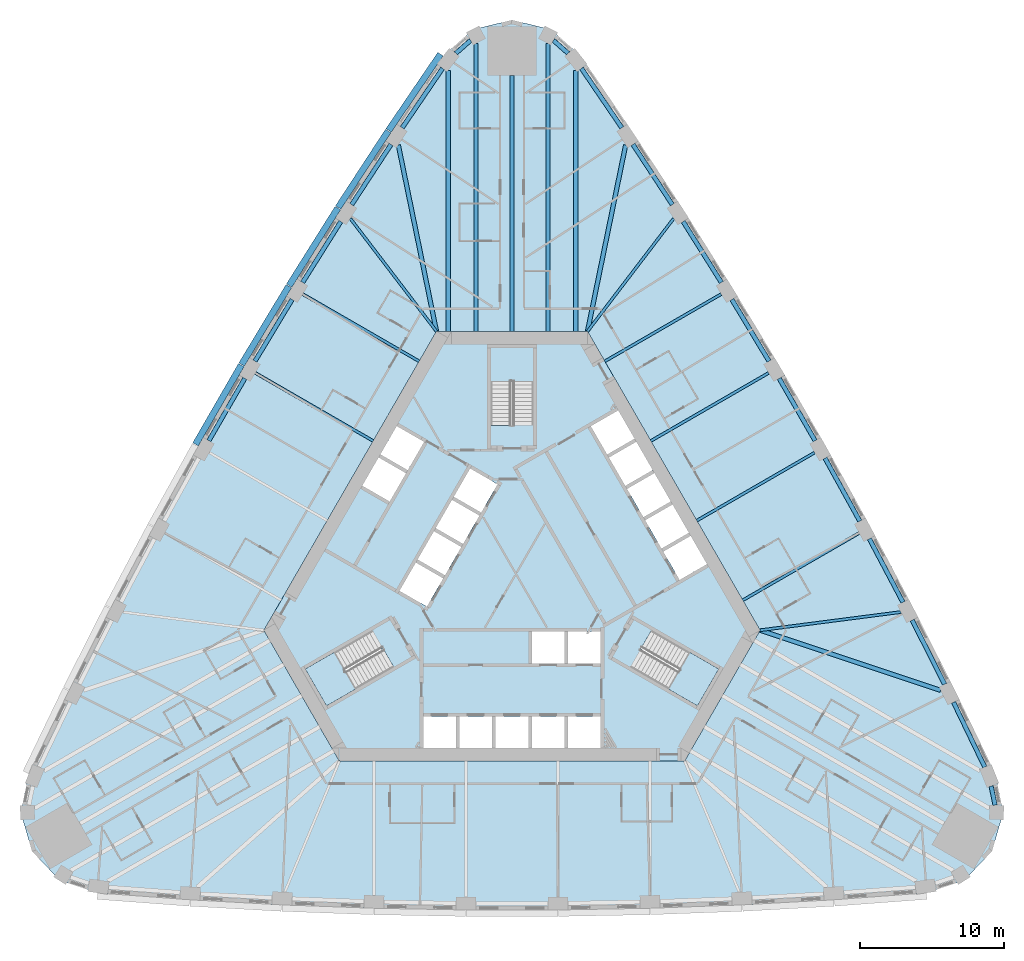
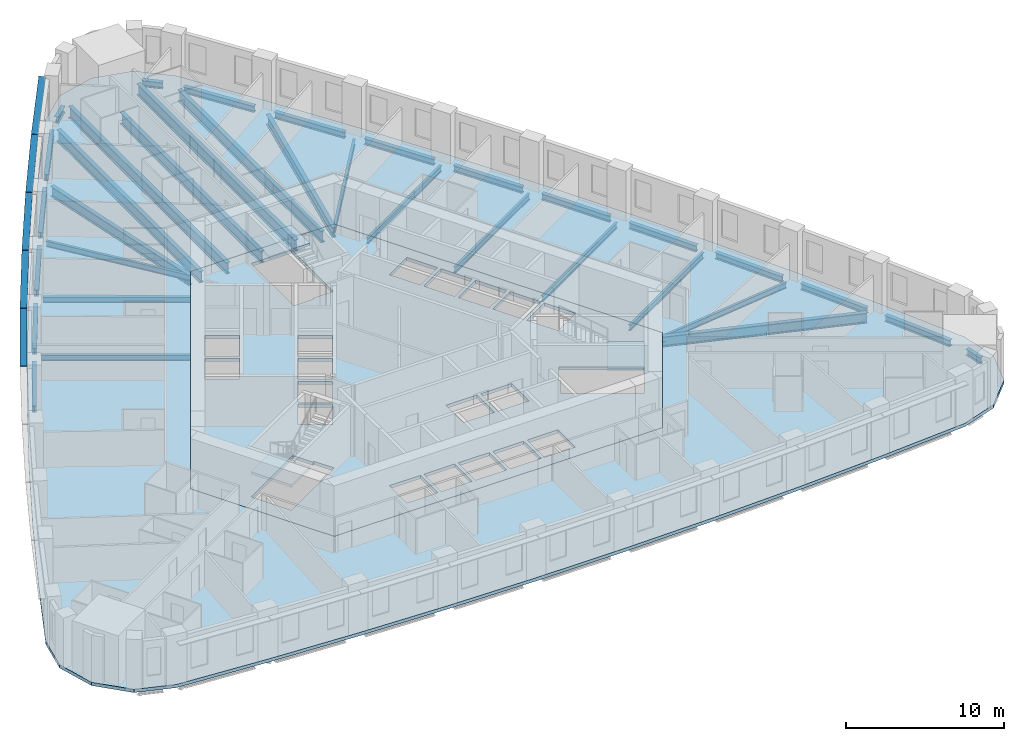
# One storey, part 2 of 13: 34 beams, 5 members, 5 slabs, 3 elements without a shape of their own.
"""IFC4 building model written with IfcOpenShell, lengths in metres."""

from ifc_helpers import new_model, si_unit, direction, frame, origin, origin_2d, place, context, subcontext, project, spatial, polyline, rectangle, i_section, outline, extrude, material, layer, layer_set, material_profile, profile_set, type_object, element, aggregate, save


model = new_model("IFC4")

# Units and contexts
model_context = context("Model", 3, precision=1e-05, world=origin(), true_north=direction((0.0, 1.0)))
body_context = subcontext(model_context, "Body", "Model", "MODEL_VIEW")
ifc_project = project(units=[si_unit("LENGTHUNIT", "METRE"), si_unit("AREAUNIT", "SQUARE_METRE"), si_unit("VOLUMEUNIT", "CUBIC_METRE"), si_unit("PLANEANGLEUNIT", "RADIAN"), si_unit("MASSUNIT", "GRAM", prefix="KILO")], contexts=[model_context])

# Site, building, storey
site_placement = place(None, origin())
site = spatial("IfcSite", under=ifc_project, at=site_placement, CompositionType="ELEMENT")
building_placement = place(site_placement, origin())
building = spatial("IfcBuilding", under=site, at=building_placement, Name="Mestral Congress Tower", CompositionType="ELEMENT")
storey_placement = place(building_placement, frame((0.0, 0.0, 51.0)))
storey = spatial("IfcBuildingStorey", under=building, at=storey_placement, Name="L11", CompositionType="ELEMENT", Elevation=51.0)

# Members
ifc_material_1 = material(Name="Glazed ceramic", Category="masonry")
ifc_material_profile_1 = material_profile(ifc_material_1, rectangle(XDim=0.449951171875, YDim=0.06005859375, at=origin_2d()), Name="Ceramic blade 450 x 60")
ifc_profile_set_1 = profile_set([ifc_material_profile_1], Name="Glazed ceramic")
member_type = type_object("IfcMemberType", Name="Facade sunshade blade 450 x 60", PredefinedType="USERDEFINED", material=ifc_profile_set_1)
member_1_placement = place(storey_placement, frame((-4.973388671875, 36.188232421875, 3.280029296875), z_axis=(-0.562633427576, -0.826706493367, 0.0), x_axis=(0.826706493367, -0.562633427576, 0.0)))
element("IfcMember", 1, at=member_1_placement, inside=storey, type_object=member_type, Name="Sunshade F2-00", ObjectType="SUNSHADE", PredefinedType="USERDEFINED", context=body_context, shape_type="SweptSolid", body=[
    extrude(rectangle(XDim=0.449951171875, YDim=0.06005859375, at=origin_2d()), origin(), (0.0, 0.0, 1.0), 6.4208984375),
])
member_2_placement = place(storey_placement, frame((-8.6103515625, 30.843505859375, 3.280029296875), z_axis=(-0.547211145376, -0.836994601163, 0.0), x_axis=(0.836994601163, -0.547211145376, 0.0)))
element("IfcMember", 2, at=member_2_placement, inside=storey, type_object=member_type, Name="Sunshade F2-01", ObjectType="SUNSHADE", PredefinedType="USERDEFINED", context=body_context, shape_type="SweptSolid", body=[
    extrude(rectangle(XDim=0.449951171875, YDim=0.06005859375, at=origin_2d()), origin(), (0.0, 0.0, 1.0), 6.368408203125),
])
for number, where, z_axis, x_axis, name in (
    (3, (-12.119140625, 25.47607421875, 3.280029296875), (-0.531665815747, -0.846954225662, 0.0), (0.846954225662, -0.531665815747, 0.0), "Sunshade F2-02"),
    (4, (-15.528076171875, 20.044921875, 3.280029296875), (-0.515904518528, -0.856646092481, 0.0), (0.856646092481, -0.515904518528, 0.0), "Sunshade F2-03"),
):
    element("IfcMember", number, at=place(storey_placement, frame(where, z_axis=z_axis, x_axis=x_axis)), inside=storey, type_object=member_type, Name=name, ObjectType="SUNSHADE", PredefinedType="USERDEFINED", context=body_context, shape_type="SweptSolid", body=[
        extrude(rectangle(XDim=0.449951171875, YDim=0.06005859375, at=origin_2d()), origin(), (0.0, 0.0, 1.0), 6.3681640625),
    ])
member_3_placement = place(storey_placement, frame((-18.8359375, 14.5517578125, 3.280029296875), z_axis=(-0.499990149842, -0.866031090701, 0.0), x_axis=(0.866031090701, -0.499990149842, 0.0)))
element("IfcMember", 5, at=member_3_placement, inside=storey, type_object=member_type, Name="Sunshade F2-04", ObjectType="SUNSHADE", PredefinedType="USERDEFINED", context=body_context, shape_type="SweptSolid", body=[
    extrude(rectangle(XDim=0.449951171875, YDim=0.06005859375, at=origin_2d()), origin(), (0.0, 0.0, 1.0), 6.368408203125),
])

# Beams
ifc_material_2 = material(Name="Steel S355", Category="steel")
ifc_material_profile_2 = material_profile(ifc_material_2, i_section(OverallWidth=0.300048828125, OverallDepth=0.800048828125, WebThickness=0.017578125, FlangeThickness=0.032958984375, FilletRadius=0.030029296875, at=origin_2d()), Name="HEB 800")
ifc_profile_set_2 = profile_set([ifc_material_profile_2], Name="Steel S355")
beam_type_1 = type_object("IfcBeamType", Name="Floor beam HEB 800 S355", PredefinedType="BEAM", material=ifc_profile_set_2)
for number, where, z_axis, x_axis, name in (
    (6, (29.8203125, -8.08349609375, -0.64990234375), (-0.948734931285, 0.316072824141, 0.0), (-0.316072824141, -0.948734931285, 0.0), "BM-L11-RB1-E01"),
    (7, (7.90966796875, 29.86669921875, -0.64990234375), (-0.200647311614, -0.979663542418, 0.0), (0.979663542418, -0.200647311614, 0.0), "BM-L11-RB1-E08"),
    (8, (-7.90966796875, 29.86669921875, -0.64990234375), (0.200647311614, -0.979663542418, 0.0), (0.979663542418, 0.200647311614, 0.0), "BM-L11-RB1-W01"),
):
    element("IfcBeam", number, at=place(storey_placement, frame(where, z_axis=z_axis, x_axis=x_axis)), inside=storey, type_object=beam_type_1, Name=name, PredefinedType="BEAM", context=body_context, shape_type="SweptSolid", body=[
        extrude(i_section(OverallWidth=0.300048828125, OverallDepth=0.800048828125, WebThickness=0.017578125, FlangeThickness=0.032958984375, FilletRadius=0.030029296875, at=origin_2d()), origin(), (0.0, 0.0, 1.0), 13.236083984375),
    ])
ifc_material_profile_3 = material_profile(ifc_material_2, i_section(OverallWidth=0.300048828125, OverallDepth=0.89990234375, WebThickness=0.0185546875, FlangeThickness=0.034912109375, FilletRadius=0.030029296875, at=origin_2d()), Name="HEB 900")
ifc_profile_set_3 = profile_set([ifc_material_profile_3], Name="Steel S355")
beam_type_2 = type_object("IfcBeamType", Name="Floor beam HEB 900 S355", PredefinedType="BEAM", material=ifc_profile_set_3)
beam_1_placement = place(storey_placement, frame((4.43603515625, 35.052734375, -0.699951171875), z_axis=(0.0, -1.0, 0.0), x_axis=(1.0, 0.0, 0.0)))
element("IfcBeam", 9, at=beam_1_placement, inside=storey, type_object=beam_type_2, Name="BM-L11-RB1-E09", PredefinedType="BEAM", context=body_context, shape_type="SweptSolid", body=[
    extrude(i_section(OverallWidth=0.300048828125, OverallDepth=0.89990234375, WebThickness=0.0185546875, FlangeThickness=0.034912109375, FilletRadius=0.030029296875, at=origin_2d()), origin(), (0.0, 0.0, 1.0), 18.15283203125),
])
beam_2_placement = place(storey_placement, frame((2.503173828125, 36.91943359375, -0.699951171875), z_axis=(0.0, -1.0, 0.0), x_axis=(1.0, 0.0, 0.0)))
element("IfcBeam", 10, at=beam_2_placement, inside=storey, type_object=beam_type_2, Name="BM-L11-RB1-N1", PredefinedType="BEAM", context=body_context, shape_type="SweptSolid", body=[
    extrude(i_section(OverallWidth=0.300048828125, OverallDepth=0.89990234375, WebThickness=0.0185546875, FlangeThickness=0.034912109375, FilletRadius=0.030029296875, at=origin_2d()), origin(), (0.0, 0.0, 1.0), 20.01953125),
])
beam_3_placement = place(storey_placement, frame((0.0, 34.698974609375, -0.699951171875), z_axis=(0.0, -1.0, 0.0), x_axis=(1.0, 0.0, 0.0)))
element("IfcBeam", 11, at=beam_3_placement, inside=storey, type_object=beam_type_2, Name="BM-L11-RB1-N", PredefinedType="BEAM", context=body_context, shape_type="SweptSolid", body=[
    extrude(i_section(OverallWidth=0.300048828125, OverallDepth=0.89990234375, WebThickness=0.0185546875, FlangeThickness=0.034912109375, FilletRadius=0.030029296875, at=origin_2d()), origin(), (0.0, 0.0, 1.0), 17.799072265625),
])
beam_4_placement = place(storey_placement, frame((-2.503173828125, 36.91943359375, -0.699951171875), z_axis=(0.0, -1.0, 0.0), x_axis=(1.0, 0.0, 0.0)))
element("IfcBeam", 12, at=beam_4_placement, inside=storey, type_object=beam_type_2, Name="BM-L11-RB1-N3", PredefinedType="BEAM", context=body_context, shape_type="SweptSolid", body=[
    extrude(i_section(OverallWidth=0.300048828125, OverallDepth=0.89990234375, WebThickness=0.0185546875, FlangeThickness=0.034912109375, FilletRadius=0.030029296875, at=origin_2d()), origin(), (0.0, 0.0, 1.0), 20.01953125),
])
beam_5_placement = place(storey_placement, frame((-4.43603515625, 35.052734375, -0.699951171875), z_axis=(0.0, -1.0, 0.0), x_axis=(1.0, 0.0, 0.0)))
element("IfcBeam", 13, at=beam_5_placement, inside=storey, type_object=beam_type_2, Name="BM-L11-RB1-W00", PredefinedType="BEAM", context=body_context, shape_type="SweptSolid", body=[
    extrude(i_section(OverallWidth=0.300048828125, OverallDepth=0.89990234375, WebThickness=0.0185546875, FlangeThickness=0.034912109375, FilletRadius=0.030029296875, at=origin_2d()), origin(), (0.0, 0.0, 1.0), 18.15283203125),
])
ifc_material_profile_4 = material_profile(ifc_material_2, i_section(OverallWidth=0.18994140625, OverallDepth=0.449951171875, WebThickness=0.009521484375, FlangeThickness=0.0146484375, FilletRadius=0.02099609375, at=origin_2d()), Name="IPE 450")
ifc_profile_set_4 = profile_set([ifc_material_profile_4], Name="Steel S355")
beam_type_3 = type_object("IfcBeamType", Name="Floor beam IPE 450 S355", PredefinedType="BEAM", material=ifc_profile_set_4)
beam_6_placement = place(storey_placement, frame((27.058349609375, -2.6337890625, -0.47509765625), z_axis=(-0.99175011495, -0.128186229747, 0.0), x_axis=(0.128186229747, -0.99175011495, 0.0)))
element("IfcBeam", 14, at=beam_6_placement, inside=storey, type_object=beam_type_3, Name="BM-L11-RB1-E02", PredefinedType="BEAM", context=body_context, shape_type="SweptSolid", body=[
    extrude(i_section(OverallWidth=0.18994140625, OverallDepth=0.449951171875, WebThickness=0.009521484375, FlangeThickness=0.0146484375, FilletRadius=0.02099609375, at=origin_2d()), origin(), (0.0, 0.0, 1.0), 9.877197265625),
])
beam_7_placement = place(storey_placement, frame((24.150634765625, 2.859619140625, -0.47509765625), z_axis=(-0.866032011123, -0.499988555579, 0.0), x_axis=(0.499988555579, -0.866032011123, 0.0)))
element("IfcBeam", 15, at=beam_7_placement, inside=storey, type_object=beam_type_3, Name="BM-L11-RB1-E03", PredefinedType="BEAM", context=body_context, shape_type="SweptSolid", body=[
    extrude(i_section(OverallWidth=0.18994140625, OverallDepth=0.449951171875, WebThickness=0.009521484375, FlangeThickness=0.0146484375, FilletRadius=0.02099609375, at=origin_2d()), origin(), (0.0, 0.0, 1.0), 9.344970703125),
])
for number, where, z_axis, x_axis, name in (
    (16, (21.0537109375, 8.46044921875, -0.47509765625), (-0.866019749231, -0.500009793847, 0.0), (0.500009793847, -0.866019749231, 0.0), "BM-L11-RB1-E04"),
    (17, (17.853759765625, 14.0029296875, -0.47509765625), (-0.866019749231, -0.500009793847, 0.0), (0.500009793847, -0.866019749231, 0.0), "BM-L11-RB1-E05"),
):
    element("IfcBeam", number, at=place(storey_placement, frame(where, z_axis=z_axis, x_axis=x_axis)), inside=storey, type_object=beam_type_3, Name=name, PredefinedType="BEAM", context=body_context, shape_type="SweptSolid", body=[
        extrude(i_section(OverallWidth=0.18994140625, OverallDepth=0.449951171875, WebThickness=0.009521484375, FlangeThickness=0.0146484375, FilletRadius=0.02099609375, at=origin_2d()), origin(), (0.0, 0.0, 1.0), 9.463134765625),
    ])
beam_8_placement = place(storey_placement, frame((14.5517578125, 19.485107421875, -0.47509765625), z_axis=(-0.866025479842, -0.499999868264, 0.0), x_axis=(0.499999868264, -0.866025479842, 0.0)))
element("IfcBeam", 18, at=beam_8_placement, inside=storey, type_object=beam_type_3, Name="BM-L11-RB1-E06", PredefinedType="BEAM", context=body_context, shape_type="SweptSolid", body=[
    extrude(i_section(OverallWidth=0.18994140625, OverallDepth=0.449951171875, WebThickness=0.009521484375, FlangeThickness=0.0146484375, FilletRadius=0.02099609375, at=origin_2d()), origin(), (0.0, 0.0, 1.0), 9.3447265625),
])
for number, where, z_axis, x_axis, name in (
    (19, (11.248291015625, 24.75, -0.47509765625), (-0.606898557801, -0.794779303039, 0.0), (0.794779303039, -0.606898557801, 0.0), "BM-L11-RB1-E07"),
    (20, (-11.248291015625, 24.75, -0.47509765625), (0.606898557801, -0.794779303039, 0.0), (0.794779303039, 0.606898557801, 0.0), "BM-L11-RB1-W02"),
):
    element("IfcBeam", number, at=place(storey_placement, frame(where, z_axis=z_axis, x_axis=x_axis)), inside=storey, type_object=beam_type_3, Name=name, PredefinedType="BEAM", context=body_context, shape_type="SweptSolid", body=[
        extrude(i_section(OverallWidth=0.18994140625, OverallDepth=0.449951171875, WebThickness=0.009521484375, FlangeThickness=0.0146484375, FilletRadius=0.02099609375, at=origin_2d()), origin(), (0.0, 0.0, 1.0), 9.877197265625),
    ])
beam_9_placement = place(storey_placement, frame((-14.5517578125, 19.485107421875, -0.47509765625), z_axis=(0.866025479842, -0.499999868264, 0.0), x_axis=(0.499999868264, 0.866025479842, 0.0)))
element("IfcBeam", 21, at=beam_9_placement, inside=storey, type_object=beam_type_3, Name="BM-L11-RB1-W03", PredefinedType="BEAM", context=body_context, shape_type="SweptSolid", body=[
    extrude(i_section(OverallWidth=0.18994140625, OverallDepth=0.449951171875, WebThickness=0.009521484375, FlangeThickness=0.0146484375, FilletRadius=0.02099609375, at=origin_2d()), origin(), (0.0, 0.0, 1.0), 9.3447265625),
])
beam_10_placement = place(storey_placement, frame((-17.853759765625, 14.0029296875, -0.47509765625), z_axis=(0.866019749231, -0.500009793847, 0.0), x_axis=(0.500009793847, 0.866019749231, 0.0)))
element("IfcBeam", 22, at=beam_10_placement, inside=storey, type_object=beam_type_3, Name="BM-L11-RB1-W04", PredefinedType="BEAM", context=body_context, shape_type="SweptSolid", body=[
    extrude(i_section(OverallWidth=0.18994140625, OverallDepth=0.449951171875, WebThickness=0.009521484375, FlangeThickness=0.0146484375, FilletRadius=0.02099609375, at=origin_2d()), origin(), (0.0, 0.0, 1.0), 9.463134765625),
])
ifc_material_profile_5 = material_profile(ifc_material_2, i_section(OverallWidth=0.300048828125, OverallDepth=0.489990234375, WebThickness=0.011962890625, FlangeThickness=0.02294921875, FilletRadius=0.027099609375, at=origin_2d()), Name="HEA 500")
ifc_profile_set_5 = profile_set([ifc_material_profile_5], Name="Steel S355")
beam_type_4 = type_object("IfcBeamType", Name="Spandrel beam HEA 500 S355", PredefinedType="BEAM", material=ifc_profile_set_5)
beam_11_placement = place(storey_placement, frame((33.611328125, -16.0693359375, -0.4951171875), z_axis=(-0.197991750859, 0.980203686277, 0.0), x_axis=(-0.980203686277, -0.197991750859, 0.0)))
element("IfcBeam", 23, at=beam_11_placement, inside=storey, type_object=beam_type_4, Name="SP-L11-SB1-SE3", PredefinedType="BEAM", context=body_context, shape_type="SweptSolid", body=[
    extrude(i_section(OverallWidth=0.300048828125, OverallDepth=0.489990234375, WebThickness=0.011962890625, FlangeThickness=0.02294921875, FilletRadius=0.027099609375, at=origin_2d()), origin(), (0.0, 0.0, 1.0), 1.3515625),
])
beam_12_placement = place(storey_placement, frame((32.897705078125, -13.415283203125, -0.4951171875), z_axis=(-0.434645244295, 0.900601749727, 0.0), x_axis=(-0.900601749727, -0.434645244295, 0.0)))
element("IfcBeam", 24, at=beam_12_placement, inside=storey, type_object=beam_type_4, Name="SP-L11-SB1-E00", PredefinedType="BEAM", context=body_context, shape_type="SweptSolid", body=[
    extrude(i_section(OverallWidth=0.300048828125, OverallDepth=0.489990234375, WebThickness=0.011962890625, FlangeThickness=0.02294921875, FilletRadius=0.027099609375, at=origin_2d()), origin(), (0.0, 0.0, 1.0), 4.998046875),
])
beam_13_placement = place(storey_placement, frame((30.105224609375, -7.658935546875, -0.4951171875), z_axis=(-0.45123261425, 0.892406369227, 0.0), x_axis=(-0.892406369227, -0.45123261425, 0.0)))
element("IfcBeam", 25, at=beam_13_placement, inside=storey, type_object=beam_type_4, Name="SP-L11-SB1-E01", PredefinedType="BEAM", context=body_context, shape_type="SweptSolid", body=[
    extrude(i_section(OverallWidth=0.300048828125, OverallDepth=0.489990234375, WebThickness=0.011962890625, FlangeThickness=0.02294921875, FilletRadius=0.027099609375, at=origin_2d()), origin(), (0.0, 0.0, 1.0), 4.999755859375),
])
beam_14_placement = place(storey_placement, frame((27.2060546875, -1.95361328125, -0.4951171875), z_axis=(-0.467681307417, 0.883897162962, 0.0), x_axis=(-0.883897162962, -0.467681307417, 0.0)))
element("IfcBeam", 26, at=beam_14_placement, inside=storey, type_object=beam_type_4, Name="SP-L11-SB1-E02", PredefinedType="BEAM", context=body_context, shape_type="SweptSolid", body=[
    extrude(i_section(OverallWidth=0.300048828125, OverallDepth=0.489990234375, WebThickness=0.011962890625, FlangeThickness=0.02294921875, FilletRadius=0.027099609375, at=origin_2d()), origin(), (0.0, 0.0, 1.0), 5.0),
])
for number, where, z_axis, x_axis, name in (
    (27, (24.20166015625, 3.697265625, -0.4951171875), (-0.483900688062, 0.875122919419, 0.0), (-0.875122919419, -0.483900688062, 0.0), "SP-L11-SB1-E03"),
    (28, (21.093505859375, 9.291748046875, -0.4951171875), (-0.50002537861, 0.866010750942, 0.0), (-0.866010750942, -0.50002537861, 0.0), "SP-L11-SB1-E04"),
    (29, (17.88232421875, 14.82763671875, -0.4951171875), (-0.515938385622, 0.85662569553, 0.0), (-0.85662569553, -0.515938385622, 0.0), "SP-L11-SB1-E05"),
    (30, (14.5693359375, 20.302978515625, -0.4951171875), (-0.531661433361, 0.846956976639, 0.0), (-0.846956976639, -0.531661433361, 0.0), "SP-L11-SB1-E06"),
):
    element("IfcBeam", number, at=place(storey_placement, frame(where, z_axis=z_axis, x_axis=x_axis)), inside=storey, type_object=beam_type_4, Name=name, PredefinedType="BEAM", context=body_context, shape_type="SweptSolid", body=[
        extrude(i_section(OverallWidth=0.300048828125, OverallDepth=0.489990234375, WebThickness=0.011962890625, FlangeThickness=0.02294921875, FilletRadius=0.027099609375, at=origin_2d()), origin(), (0.0, 0.0, 1.0), 4.999755859375),
    ])
beam_15_placement = place(storey_placement, frame((11.156005859375, 25.716552734375, -0.4951171875), z_axis=(-0.547263834194, 0.836960151849, 0.0), x_axis=(-0.836960151849, -0.547263834194, 0.0)))
element("IfcBeam", 31, at=beam_15_placement, inside=storey, type_object=beam_type_4, Name="SP-L11-SB1-E07", PredefinedType="BEAM", context=body_context, shape_type="SweptSolid", body=[
    extrude(i_section(OverallWidth=0.300048828125, OverallDepth=0.489990234375, WebThickness=0.011962890625, FlangeThickness=0.02294921875, FilletRadius=0.027099609375, at=origin_2d()), origin(), (0.0, 0.0, 1.0), 5.0),
])
beam_16_placement = place(storey_placement, frame((7.642822265625, 31.06591796875, -0.4951171875), z_axis=(-0.562610596841, 0.826722030868, 0.0), x_axis=(-0.826722030868, -0.562610596841, 0.0)))
element("IfcBeam", 32, at=beam_16_placement, inside=storey, type_object=beam_type_4, Name="SP-L11-SB1-E08", PredefinedType="BEAM", context=body_context, shape_type="SweptSolid", body=[
    extrude(i_section(OverallWidth=0.300048828125, OverallDepth=0.489990234375, WebThickness=0.011962890625, FlangeThickness=0.02294921875, FilletRadius=0.027099609375, at=origin_2d()), origin(), (0.0, 0.0, 1.0), 4.998046875),
])
for number, where, z_axis, x_axis, name in (
    (33, (3.902587890625, 36.248779296875, -0.4951171875), (-0.749806226219, 0.661657481725, 0.0), (-0.661657481725, -0.749806226219, 0.0), "SP-L11-SB1-E09"),
    (34, (-2.88916015625, 37.14306640625, -0.4951171875), (-0.749806226219, -0.661657481725, 0.0), (0.661657481725, -0.749806226219, 0.0), "SP-L11-SB1-N3"),
):
    element("IfcBeam", number, at=place(storey_placement, frame(where, z_axis=z_axis, x_axis=x_axis)), inside=storey, type_object=beam_type_4, Name=name, PredefinedType="BEAM", context=body_context, shape_type="SweptSolid", body=[
        extrude(i_section(OverallWidth=0.300048828125, OverallDepth=0.489990234375, WebThickness=0.011962890625, FlangeThickness=0.02294921875, FilletRadius=0.027099609375, at=origin_2d()), origin(), (0.0, 0.0, 1.0), 1.3515625),
    ])
beam_17_placement = place(storey_placement, frame((-4.830810546875, 35.197998046875, -0.4951171875), z_axis=(-0.562610596841, -0.826722030868, 0.0), x_axis=(0.826722030868, -0.562610596841, 0.0)))
element("IfcBeam", 35, at=beam_17_placement, inside=storey, type_object=beam_type_4, Name="SP-L11-SB1-W00", PredefinedType="BEAM", context=body_context, shape_type="SweptSolid", body=[
    extrude(i_section(OverallWidth=0.300048828125, OverallDepth=0.489990234375, WebThickness=0.011962890625, FlangeThickness=0.02294921875, FilletRadius=0.027099609375, at=origin_2d()), origin(), (0.0, 0.0, 1.0), 4.998046875),
])
beam_18_placement = place(storey_placement, frame((-8.419677734375, 29.9013671875, -0.4951171875), z_axis=(-0.547263834194, -0.836960151849, 0.0), x_axis=(0.836960151849, -0.547263834194, 0.0)))
element("IfcBeam", 36, at=beam_18_placement, inside=storey, type_object=beam_type_4, Name="SP-L11-SB1-W01", PredefinedType="BEAM", context=body_context, shape_type="SweptSolid", body=[
    extrude(i_section(OverallWidth=0.300048828125, OverallDepth=0.489990234375, WebThickness=0.011962890625, FlangeThickness=0.02294921875, FilletRadius=0.027099609375, at=origin_2d()), origin(), (0.0, 0.0, 1.0), 5.0),
])
for number, where, z_axis, x_axis, name in (
    (37, (-11.9111328125, 24.53759765625, -0.4951171875), (-0.531661433361, -0.846956976639, 0.0), (0.846956976639, -0.531661433361, 0.0), "SP-L11-SB1-W02"),
    (38, (-15.302734375, 19.110595703125, -0.4951171875), (-0.515938385622, -0.85662569553, 0.0), (0.85662569553, -0.515938385622, 0.0), "SP-L11-SB1-W03"),
    (39, (-18.593505859375, 13.62158203125, -0.4951171875), (-0.50002537861, -0.866010750942, 0.0), (0.866010750942, -0.50002537861, 0.0), "SP-L11-SB1-W04"),
):
    element("IfcBeam", number, at=place(storey_placement, frame(where, z_axis=z_axis, x_axis=x_axis)), inside=storey, type_object=beam_type_4, Name=name, PredefinedType="BEAM", context=body_context, shape_type="SweptSolid", body=[
        extrude(i_section(OverallWidth=0.300048828125, OverallDepth=0.489990234375, WebThickness=0.011962890625, FlangeThickness=0.02294921875, FilletRadius=0.027099609375, at=origin_2d()), origin(), (0.0, 0.0, 1.0), 4.999755859375),
    ])

# Slabs
ifc_material_3 = material(Name="Concrete C35/45", Category="concrete")
ifc_layer_1 = layer(ifc_material_3, 0.25)
ifc_layer_set_1 = layer_set([ifc_layer_1], Name="Concrete C35/45")
slab_type_1 = type_object("IfcSlabType", Name="Composite floor slab 250", PredefinedType="FLOOR", material=ifc_layer_set_1)
placement_1 = place(storey_placement, frame((0.0, 0.0, -0.25)))
element("IfcSlab", 40, at=placement_1, inside=storey, type_object=slab_type_1, Name="SL-L11", PredefinedType="FLOOR", context=body_context, shape_type="SweptSolid", body=[
    extrude(outline(polyline([(-28.8564453125, -22.17529296875), (-31.45849609375, -21.301025390625), (-33.39599609375, -19.28125), (-34.176513671875, -16.59326171875), (-33.6328125, -13.90283203125), (-30.824462890625, -8.084228515625), (-27.93310546875, -2.365478515625), (-24.936279296875, 3.298828125), (-21.835205078125, 8.90673828125), (-18.631103515625, 14.45654296875), (-15.324951171875, 19.946044921875), (-11.91796875, 25.373291015625), (-8.4111328125, 30.737060546875), (-4.776123046875, 36.078125), (-2.718017578125, 37.894287109375), (0.0, 38.562255859375), (2.718017578125, 37.894287109375), (4.776123046875, 36.078125), (8.4111328125, 30.737060546875), (11.91796875, 25.373291015625), (15.324951171875, 19.946044921875), (18.631103515625, 14.45654296875), (21.835205078125, 8.90673828125), (24.936279296875, 3.298828125), (27.93310546875, -2.365478515625), (30.824462890625, -8.084228515625), (33.6328125, -13.90283203125), (34.176513671875, -16.59326171875), (33.39599609375, -19.28125), (31.45849609375, -21.301025390625), (28.8564453125, -22.17529296875), (22.41357421875, -22.652587890625), (16.01513671875, -23.0078125), (9.611083984375, -23.244873046875), (3.2041015625, -23.36328125), (-3.2041015625, -23.36328125), (-9.611083984375, -23.244873046875), (-16.01513671875, -23.0078125), (-22.41357421875, -22.652587890625), (-28.8564453125, -22.17529296875)]), holes=[polyline([(-5.25390625, 16.89990234375), (-17.2626953125, -3.89990234375), (-12.0087890625, -13.0), (12.0087890625, -13.0), (17.2626953125, -3.89990234375), (5.25390625, 16.89990234375), (-5.25390625, 16.89990234375)])]), origin(), (0.0, 0.0, 1.0), 0.25),
])
ifc_material_4 = material(Name="Concrete C60/75", Category="concrete")
ifc_layer_2 = layer(ifc_material_4, 0.25)
ifc_layer_set_2 = layer_set([ifc_layer_2], Name="Concrete C60/75")
slab_type_2 = type_object("IfcSlabType", Name="Core floor slab RC 250", PredefinedType="FLOOR", material=ifc_layer_set_2)
element("IfcSlab", 41, at=placement_1, inside=storey, type_object=slab_type_2, Name="L11 core floor", PredefinedType="FLOOR", context=body_context, shape_type="SweptSolid", body=[
    extrude(outline(polyline([(12.0087890625, -13.0), (-12.0087890625, -13.0), (-17.2626953125, -3.89990234375), (-5.25390625, 16.89990234375), (5.25390625, 16.89990234375), (17.2626953125, -3.89990234375), (12.0087890625, -13.0)]), holes=[polyline([(-3.905029296875, -9.89990234375), (-6.175048828125, -9.89990234375), (-6.175048828125, -12.10009765625), (-3.905029296875, -12.10009765625), (-3.905029296875, -9.89990234375)]), polyline([(-1.385009765625, -9.89990234375), (-3.655029296875, -9.89990234375), (-3.655029296875, -12.10009765625), (-1.385009765625, -12.10009765625), (-1.385009765625, -9.89990234375)]), polyline([(1.135009765625, -9.89990234375), (-1.135009765625, -9.89990234375), (-1.135009765625, -12.10009765625), (1.135009765625, -12.10009765625), (1.135009765625, -9.89990234375)]), polyline([(-9.0673828125, -5.235107421875), (-9.8046875, -3.95751953125), (-14.37744140625, -6.59765625), (-12.90234375, -9.15234375), (-8.234619140625, -6.45751953125), (-8.971923828125, -5.179931640625), (-9.0673828125, -5.235107421875)]), polyline([(-7.826904296875, -1.156494140625), (-5.921630859375, -2.256591796875), (-4.78662109375, -0.29052734375), (-6.69189453125, 0.809326171875), (-7.826904296875, -1.156494140625)]), polyline([(-4.66162109375, -0.07421875), (-3.526611328125, 1.8916015625), (-5.431884765625, 2.99169921875), (-6.56689453125, 1.02587890625), (-4.66162109375, -0.07421875)]), polyline([(-3.401611328125, 2.1083984375), (-2.2666015625, 4.07421875), (-4.171875, 5.174072265625), (-5.306884765625, 3.208251953125), (-3.401611328125, 2.1083984375)]), polyline([(-2.1416015625, 4.29052734375), (-1.006591796875, 6.256591796875), (-2.911865234375, 7.3564453125), (-4.046875, 5.390625), (-2.1416015625, 4.29052734375)]), polyline([(-10.41650390625, 6.158203125), (-8.51123046875, 5.058349609375), (-7.376220703125, 7.024169921875), (-9.281494140625, 8.1240234375), (-10.41650390625, 6.158203125)]), polyline([(-9.156494140625, 8.340576171875), (-7.251220703125, 7.240478515625), (-6.1162109375, 9.20654296875), (-8.021484375, 10.306396484375), (-9.156494140625, 8.340576171875)]), polyline([(1.47509765625, 10.469970703125), (1.47509765625, 15.75), (-1.47509765625, 15.75), (-1.47509765625, 10.360107421875), (0.0, 10.360107421875), (0.0, 10.469970703125), (1.47509765625, 10.469970703125)]), polyline([(3.655029296875, -9.89990234375), (1.385009765625, -9.89990234375), (1.385009765625, -12.10009765625), (3.655029296875, -12.10009765625), (3.655029296875, -9.89990234375)]), polyline([(6.175048828125, -9.89990234375), (3.905029296875, -9.89990234375), (3.905029296875, -12.10009765625), (6.175048828125, -12.10009765625), (6.175048828125, -9.89990234375)]), polyline([(9.0673828125, -5.235107421875), (8.329833984375, -6.512451171875), (12.90234375, -9.15234375), (14.37744140625, -6.59765625), (9.70947265625, -3.902587890625), (8.971923828125, -5.179931640625), (9.0673828125, -5.235107421875)]), polyline([(3.655029296875, -6.199951171875), (3.655029296875, -4.0), (1.385009765625, -4.0), (1.385009765625, -6.199951171875), (3.655029296875, -6.199951171875)]), polyline([(6.175048828125, -4.0), (3.905029296875, -4.0), (3.905029296875, -6.199951171875), (6.175048828125, -6.199951171875), (6.175048828125, -4.0)]), polyline([(12.431396484375, 2.668212890625), (10.526123046875, 1.568115234375), (11.6611328125, -0.397705078125), (13.56640625, 0.702392578125), (12.431396484375, 2.668212890625)]), polyline([(11.17138671875, 4.8505859375), (9.26611328125, 3.75048828125), (10.401123046875, 1.78466796875), (12.306396484375, 2.884765625), (11.17138671875, 4.8505859375)]), polyline([(8.006103515625, 5.932861328125), (9.14111328125, 3.967041015625), (11.04638671875, 5.067138671875), (9.911376953125, 7.032958984375), (8.006103515625, 5.932861328125)]), polyline([(8.6513671875, 9.21533203125), (6.74609375, 8.115234375), (7.881103515625, 6.1494140625), (9.786376953125, 7.24951171875), (8.6513671875, 9.21533203125)]), polyline([(7.391357421875, 11.397705078125), (5.486083984375, 10.297607421875), (6.62109375, 8.331787109375), (8.5263671875, 9.431884765625), (7.391357421875, 11.397705078125)])]), origin(), (0.0, 0.0, 1.0), 0.25),
])

# Stair, slab
stair_type = type_object("IfcStairType", Name="Exit stair 1400", PredefinedType="HALF_TURN_STAIR", material=ifc_material_4)
placement_2 = place(storey_placement, origin())
stair_1 = element("IfcStair", 42, at=placement_2, inside=storey, type_object=stair_type, Name="L11 ST1", PredefinedType="HALF_TURN_STAIR")
ifc_layer_3 = layer(ifc_material_4, 0.199951171875)
ifc_layer_set_3 = layer_set([ifc_layer_3], Name="Concrete C60/75")
slab_type_3 = type_object("IfcSlabType", Name="Exit stair landing 200", PredefinedType="LANDING", material=ifc_layer_set_3)
placement_3 = place(storey_placement, frame((0.0, 0.0, 1.75)))
slab_3 = element("IfcSlab", 43, at=placement_3, type_object=slab_type_3, Name="ST1 landing 1", PredefinedType="LANDING", context=body_context, shape_type="SweptSolid", body=[
    extrude(outline(polyline([(10.879638671875, -7.99609375), (12.364501953125, -5.424072265625), (14.39111328125, -6.593994140625), (12.906005859375, -9.166015625), (10.879638671875, -7.99609375)])), origin(), (0.0, 0.0, 1.0), 0.199951171875),
])
aggregate(stair_1, [slab_3])

stair_2 = element("IfcStair", 44, at=placement_2, inside=storey, type_object=stair_type, Name="L11 ST2", PredefinedType="HALF_TURN_STAIR")
slab_4 = element("IfcSlab", 45, at=placement_3, type_object=slab_type_3, Name="ST2 landing 1", PredefinedType="LANDING", context=body_context, shape_type="SweptSolid", body=[
    extrude(outline(polyline([(1.485107421875, 13.419921875), (-1.485107421875, 13.419921875), (-1.485107421875, 15.760009765625), (1.485107421875, 15.760009765625), (1.485107421875, 13.419921875)])), origin(), (0.0, 0.0, 1.0), 0.199951171875),
])
aggregate(stair_2, [slab_4])

stair_3 = element("IfcStair", 46, at=placement_2, inside=storey, type_object=stair_type, Name="L11 ST3", PredefinedType="HALF_TURN_STAIR")
slab_5 = element("IfcSlab", 47, at=placement_3, type_object=slab_type_3, Name="ST3 landing 1", PredefinedType="LANDING", context=body_context, shape_type="SweptSolid", body=[
    extrude(outline(polyline([(-12.364501953125, -5.424072265625), (-10.879638671875, -7.99609375), (-12.906005859375, -9.166015625), (-14.39111328125, -6.593994140625), (-12.364501953125, -5.424072265625)])), origin(), (0.0, 0.0, 1.0), 0.199951171875),
])
aggregate(stair_3, [slab_5])

save(model, "model.ifc")
